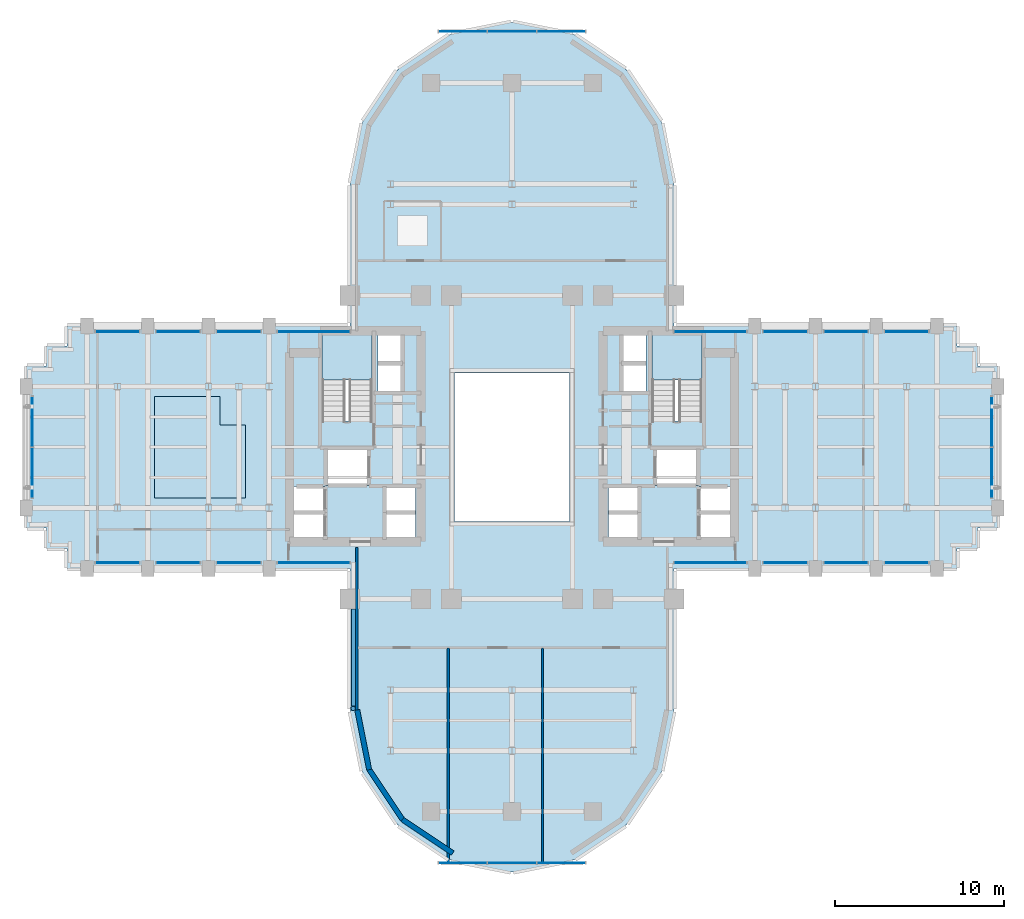
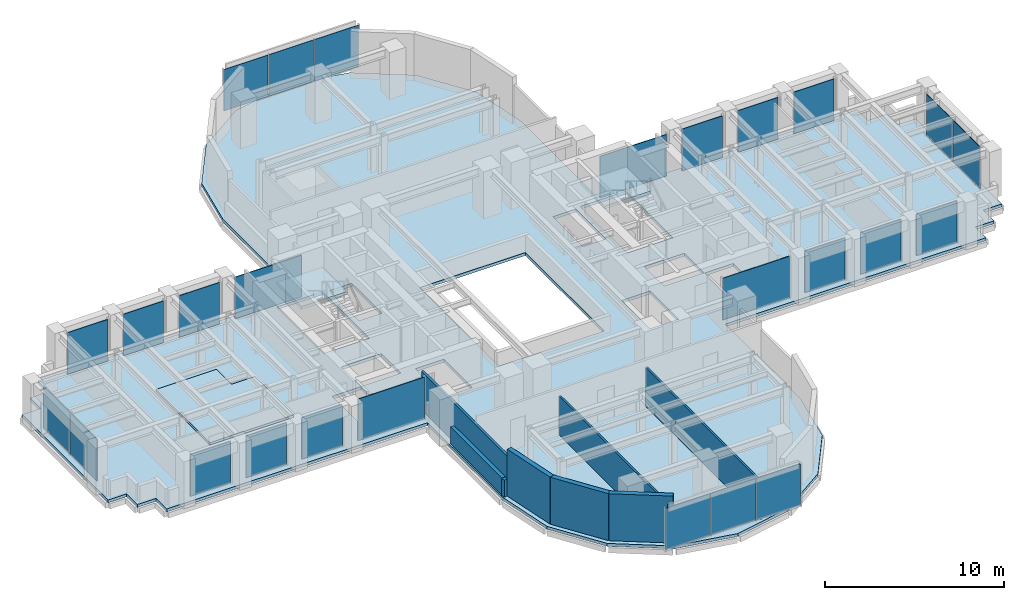
# One storey, part 9 of 16: 26 plates, 8 walls, 4 slabs, 22 elements without a shape of their own.
"""IFC4 building model written with IfcOpenShell, lengths in metres."""

from ifc_helpers import new_model, si_unit, direction, frame, frame_2d, origin, origin_2d, place, context, subcontext, project, spatial, polyline, rectangle, outline, extrude, source, transform, mapped, material, layer, layer_set, type_object, element, aggregate, save


model = new_model("IFC4")

# Units and contexts
model_context = context("Model", 3, precision=1e-05, world=origin(), true_north=direction((0.0, 1.0)))
body_context = subcontext(model_context, "Body", "Model", "MODEL_VIEW")
ifc_project = project(units=[si_unit("LENGTHUNIT", "METRE"), si_unit("AREAUNIT", "SQUARE_METRE"), si_unit("VOLUMEUNIT", "CUBIC_METRE"), si_unit("PLANEANGLEUNIT", "RADIAN"), si_unit("MASSUNIT", "GRAM", prefix="KILO")], contexts=[model_context])

# Site, building, storey
site_placement = place(None, origin())
site = spatial("IfcSite", under=ifc_project, at=site_placement, CompositionType="ELEMENT")
building_placement = place(site_placement, origin())
building = spatial("IfcBuilding", under=site, at=building_placement, Name="Keilestroom Media Tower", CompositionType="ELEMENT")
storey_placement = place(building_placement, frame((0.0, 0.0, 51.0)))
storey = spatial("IfcBuildingStorey", under=building, at=storey_placement, Name="L12", CompositionType="ELEMENT", Elevation=51.0)

# Slabs
ifc_material_1 = material(Name="Concrete C50/60", Category="concrete")
ifc_layer_1 = layer(ifc_material_1, 0.199951171875)
ifc_layer_set_1 = layer_set([ifc_layer_1], Name="Concrete C50/60")
slab_type_1 = type_object("IfcSlabType", Name="Composite-Floor-Slab-200", PredefinedType="FLOOR", material=ifc_layer_set_1)
slab_1_placement = place(storey_placement, frame((0.0, 0.0, -0.199951171875)))
element("IfcSlab", 1, at=slab_1_placement, inside=storey, type_object=slab_type_1, Name="L12 Structural Composite Floor Slab", PredefinedType="FLOOR", context=body_context, shape_type="SweptSolid", body=[
    extrude(outline(polyline([(28.800048828125, -4.800048828125), (28.800048828125, 4.800048828125), (27.60009765625, 4.800048828125), (27.60009765625, 6.0), (26.39990234375, 6.0), (26.39990234375, 7.199951171875), (9.60009765625, 7.199951171875), (9.60009765625, 9.60009765625), (9.60009765625, 15.60009765625), (8.869140625, 19.273681640625), (6.7880859375, 22.38818359375), (3.673828125, 24.46923828125), (0.0, 25.199951171875), (-3.673828125, 24.46923828125), (-6.7880859375, 22.38818359375), (-8.869140625, 19.273681640625), (-9.60009765625, 15.60009765625), (-9.60009765625, 9.60009765625), (-9.60009765625, 7.199951171875), (-26.39990234375, 7.199951171875), (-26.39990234375, 6.0), (-27.60009765625, 6.0), (-27.60009765625, 4.800048828125), (-28.800048828125, 4.800048828125), (-28.800048828125, -4.800048828125), (-27.60009765625, -4.800048828125), (-27.60009765625, -6.0), (-26.39990234375, -6.0), (-26.39990234375, -7.199951171875), (-9.60009765625, -7.199951171875), (-9.60009765625, -9.60009765625), (-9.60009765625, -15.60009765625), (-8.869140625, -19.273681640625), (-6.7880859375, -22.38818359375), (-3.673828125, -24.46923828125), (0.0, -25.199951171875), (3.673828125, -24.46923828125), (6.7880859375, -22.38818359375), (8.869140625, -19.273681640625), (9.60009765625, -15.60009765625), (9.60009765625, -9.60009765625), (9.60009765625, -7.199951171875), (26.39990234375, -7.199951171875), (26.39990234375, -6.0), (27.60009765625, -6.0), (27.60009765625, -4.800048828125), (28.800048828125, -4.800048828125)]), holes=[polyline([(-12.919921875, -5.47998046875), (-12.919921875, -2.320068359375), (-11.080078125, -2.320068359375), (-11.080078125, -5.47998046875), (-12.919921875, -5.47998046875)]), polyline([(-11.260009765625, 1.544921875), (-11.260009765625, 6.760009765625), (-8.300048828125, 6.760009765625), (-8.300048828125, 1.544921875), (-11.260009765625, 1.544921875)]), polyline([(-11.050048828125, -2.280029296875), (-11.050048828125, -0.10009765625), (-8.47998046875, -0.10009765625), (-8.47998046875, -2.280029296875), (-11.050048828125, -2.280029296875)]), polyline([(-7.949951171875, 3.300048828125), (-7.949951171875, 6.64990234375), (-6.47998046875, 6.64990234375), (-6.47998046875, 3.300048828125), (-7.949951171875, 3.300048828125)]), polyline([(-7.56005859375, -5.47998046875), (-7.56005859375, -2.320068359375), (-5.719970703125, -2.320068359375), (-5.719970703125, -5.47998046875), (-7.56005859375, -5.47998046875)]), polyline([(-3.39990234375, -4.39990234375), (-3.39990234375, 4.39990234375), (3.39990234375, 4.39990234375), (3.39990234375, -4.39990234375), (-3.39990234375, -4.39990234375)]), polyline([(5.719970703125, -5.47998046875), (5.719970703125, -2.320068359375), (7.56005859375, -2.320068359375), (7.56005859375, -5.47998046875), (5.719970703125, -5.47998046875)]), polyline([(7.949951171875, 6.64990234375), (7.949951171875, 3.300048828125), (6.47998046875, 3.300048828125), (6.47998046875, 6.64990234375), (7.949951171875, 6.64990234375)]), polyline([(8.300048828125, 6.760009765625), (11.260009765625, 6.760009765625), (11.260009765625, 1.544921875), (8.300048828125, 1.544921875), (8.300048828125, 6.760009765625)]), polyline([(8.47998046875, -2.280029296875), (8.47998046875, -0.10009765625), (11.050048828125, -0.10009765625), (11.050048828125, -2.280029296875), (8.47998046875, -2.280029296875)]), polyline([(12.919921875, -5.47998046875), (11.080078125, -5.47998046875), (11.080078125, -2.320068359375), (12.919921875, -2.320068359375), (12.919921875, -5.47998046875)])]), origin(), (0.0, 0.0, 1.0), 0.199951171875),
])
ifc_material_2 = material(Name="Concrete C45/55", Category="concrete")
ifc_layer_2 = layer(ifc_material_2, 0.14990234375)
ifc_layer_set_2 = layer_set([ifc_layer_2], Name="Concrete C45/55")
slab_type_2 = type_object("IfcSlabType", Name="Floating-Studio-Floor-Slab-150", PredefinedType="FLOOR", material=ifc_layer_set_2)
slab_2_placement = place(storey_placement, origin())
element("IfcSlab", 2, at=slab_2_placement, inside=storey, type_object=slab_type_2, Name="L12 Acoustic Floating Studio Slab ST-GFX-Z1", PredefinedType="FLOOR", context=body_context, shape_type="SweptSolid", body=[
    extrude(outline(polyline([(-21.199951171875, -3.0), (-15.800048828125, -3.0), (-15.800048828125, 1.320068359375), (-17.31201171875, 1.320068359375), (-17.31201171875, 3.0), (-21.199951171875, 3.0), (-21.199951171875, -3.0)])), origin(), (0.0, 0.0, 1.0), 0.14990234375),
])

# Stair, slab
stair_type = type_object("IfcStairType", Name="Enclosed-Dog-Leg-Stair-ST-CORE", PredefinedType="HALF_TURN_STAIR", material=ifc_material_2)
stair_1_placement = place(storey_placement, origin())
stair_1 = element("IfcStair", 3, at=stair_1_placement, inside=storey, type_object=stair_type, Name="L12 West Core Escape Stair ST-1", PredefinedType="HALF_TURN_STAIR")
ifc_layer_3 = layer(ifc_material_2, 0.199951171875)
ifc_layer_set_3 = layer_set([ifc_layer_3], Name="Concrete C45/55")
slab_type_3 = type_object("IfcSlabType", Name="Stair-Intermediate-And-Top-Landing-Slab-200", PredefinedType="LANDING", material=ifc_layer_set_3)
slab_3_placement = place(storey_placement, frame((0.0, 0.0, 1.5)))
slab_3 = element("IfcSlab", 4, at=slab_3_placement, type_object=slab_type_3, Name="ST-1 landing 1", PredefinedType="LANDING", context=body_context, shape_type="SweptSolid", body=[
    extrude(outline(polyline([(-8.300048828125, 3.99609375), (-8.300048828125, 6.760009765625), (-11.260009765625, 6.760009765625), (-11.260009765625, 3.99609375), (-8.300048828125, 3.99609375)])), origin(), (0.0, 0.0, 1.0), 0.199951171875),
])
aggregate(stair_1, [slab_3])

stair_2_placement = place(storey_placement, origin())
stair_2 = element("IfcStair", 5, at=stair_2_placement, inside=storey, type_object=stair_type, Name="L12 East Core Escape Stair ST-2", PredefinedType="HALF_TURN_STAIR")
slab_4_placement = place(storey_placement, frame((0.0, 0.0, 1.5)))
slab_4 = element("IfcSlab", 6, at=slab_4_placement, type_object=slab_type_3, Name="ST-2 landing 1", PredefinedType="LANDING", context=body_context, shape_type="SweptSolid", body=[
    extrude(outline(polyline([(11.260009765625, 3.99609375), (11.260009765625, 6.760009765625), (8.300048828125, 6.760009765625), (8.300048828125, 3.99609375), (11.260009765625, 3.99609375)])), origin(), (0.0, 0.0, 1.0), 0.199951171875),
])
aggregate(stair_2, [slab_4])

# Curtain wall, plates
ifc_material_3 = material(Name="Anodised Aluminium Alloy", Category="aluminium")
curtain_wall_type_1 = type_object("IfcCurtainWallType", Name="Unitised-Curtain-Wall-CW-1", PredefinedType="NOTDEFINED", material=ifc_material_3)
curtain_wall_1_placement = place(storey_placement, origin())
curtain_wall_1 = element("IfcCurtainWall", 7, at=curtain_wall_1_placement, inside=storey, type_object=curtain_wall_type_1, Name="L12 Curtain Wall CW-1 CW-L12-W-1", PredefinedType="NOTDEFINED")
ifc_material_4 = material(Name="Double Glazed Low-E Unit", Category="glass")
ifc_layer_4 = layer(ifc_material_4, 0.0439453125)
ifc_layer_set_4 = layer_set([ifc_layer_4], Name="Double Glazed Low-E Unit")
plate_type_1 = type_object("IfcPlateType", Name="Insulated-Curtain-Wall-Glazing-Panel-CW-1", PredefinedType="CURTAIN_PANEL", material=ifc_layer_set_4)
shared_shape_1 = source(origin(), body_context, "Body", "SweptSolid", [
    extrude(rectangle(XDim=2.968017578125, YDim=0.0439453125, at=origin_2d()), origin(), (0.0, 0.0, 1.0), 2.833984375),
])
plate_1_placement = place(storey_placement, frame((-28.449951171875, -1.514892578125, 0.072998046875), z_axis=(0.0, 0.0, 1.0), x_axis=(0.0, 1.0, 0.0)))
plate_1 = element("IfcPlate", 8, at=plate_1_placement, type_object=plate_type_1, Name="CW-1 Unitised Glazing 00", PredefinedType="CURTAIN_PANEL", context=body_context, shape_type="MappedRepresentation", body=[
    mapped(shared_shape_1, transform((0.0, 0.0, 0.0), x_axis=(1.0, 0.0, 0.0), y_axis=(0.0, 1.0, 0.0), z_axis=(0.0, 0.0, 1.0), scale=1.0)),
])
plate_2_placement = place(storey_placement, frame((-28.449951171875, 1.514892578125, 0.072998046875), z_axis=(0.0, 0.0, 1.0), x_axis=(0.0, 1.0, 0.0)))
plate_2 = element("IfcPlate", 9, at=plate_2_placement, type_object=plate_type_1, Name="CW-1 Unitised Glazing 01", PredefinedType="CURTAIN_PANEL", context=body_context, shape_type="MappedRepresentation", body=[
    mapped(shared_shape_1, transform((0.0, 0.0, 0.0), x_axis=(1.0, 0.0, 0.0), y_axis=(0.0, 1.0, 0.0), z_axis=(0.0, 0.0, 1.0), scale=1.0)),
])
aggregate(curtain_wall_1, [plate_1, plate_2])

curtain_wall_2_placement = place(storey_placement, origin())
curtain_wall_2 = element("IfcCurtainWall", 10, at=curtain_wall_2_placement, inside=storey, type_object=curtain_wall_type_1, Name="L12 Curtain Wall CW-1 CW-L12-E-1", PredefinedType="NOTDEFINED")
plate_3_placement = place(storey_placement, frame((28.449951171875, -1.514892578125, 0.072998046875), z_axis=(0.0, 0.0, 1.0), x_axis=(0.0, 1.0, 0.0)))
plate_3 = element("IfcPlate", 11, at=plate_3_placement, type_object=plate_type_1, Name="CW-1 Unitised Glazing 00", PredefinedType="CURTAIN_PANEL", context=body_context, shape_type="MappedRepresentation", body=[
    mapped(shared_shape_1, transform((0.0, 0.0, 0.0), x_axis=(1.0, 0.0, 0.0), y_axis=(0.0, 1.0, 0.0), z_axis=(0.0, 0.0, 1.0), scale=1.0)),
])
plate_4_placement = place(storey_placement, frame((28.449951171875, 1.514892578125, 0.072998046875), z_axis=(0.0, 0.0, 1.0), x_axis=(0.0, 1.0, 0.0)))
plate_4 = element("IfcPlate", 12, at=plate_4_placement, type_object=plate_type_1, Name="CW-1 Unitised Glazing 01", PredefinedType="CURTAIN_PANEL", context=body_context, shape_type="MappedRepresentation", body=[
    mapped(shared_shape_1, transform((0.0, 0.0, 0.0), x_axis=(1.0, 0.0, 0.0), y_axis=(0.0, 1.0, 0.0), z_axis=(0.0, 0.0, 1.0), scale=1.0)),
])
aggregate(curtain_wall_2, [plate_3, plate_4])

# Curtain wall, plate
curtain_wall_3_placement = place(storey_placement, origin())
curtain_wall_3 = element("IfcCurtainWall", 13, at=curtain_wall_3_placement, inside=storey, type_object=curtain_wall_type_1, Name="L12 Curtain Wall CW-1 CW-L12-NW-1", PredefinedType="NOTDEFINED")
shared_shape_2 = source(origin(), body_context, "Body", "SweptSolid", [
    extrude(rectangle(XDim=2.597900390625, YDim=0.0439453125, at=origin_2d()), origin(), (0.0, 0.0, 1.0), 2.833984375),
])
plate_5_placement = place(storey_placement, frame((-23.39990234375, 6.85009765625, 0.072998046875), z_axis=(0.0, 0.0, 1.0), x_axis=(1.0, 0.0, 0.0)))
plate_5 = element("IfcPlate", 14, at=plate_5_placement, type_object=plate_type_1, Name="CW-1 Unitised Glazing 00", PredefinedType="CURTAIN_PANEL", context=body_context, shape_type="MappedRepresentation", body=[
    mapped(shared_shape_2, transform((0.0, 0.0, 0.0), x_axis=(1.0, 0.0, 0.0), y_axis=(0.0, 1.0, 0.0), z_axis=(0.0, 0.0, 1.0), scale=1.0)),
])
aggregate(curtain_wall_3, [plate_5])

curtain_wall_4_placement = place(storey_placement, origin())
curtain_wall_4 = element("IfcCurtainWall", 15, at=curtain_wall_4_placement, inside=storey, type_object=curtain_wall_type_1, Name="L12 Curtain Wall CW-1 CW-L12-NW-2", PredefinedType="NOTDEFINED")
plate_6_placement = place(storey_placement, frame((-19.800048828125, 6.85009765625, 0.072998046875), z_axis=(0.0, 0.0, 1.0), x_axis=(1.0, 0.0, 0.0)))
plate_6 = element("IfcPlate", 16, at=plate_6_placement, type_object=plate_type_1, Name="CW-1 Unitised Glazing 00", PredefinedType="CURTAIN_PANEL", context=body_context, shape_type="MappedRepresentation", body=[
    mapped(shared_shape_2, transform((0.0, 0.0, 0.0), x_axis=(1.0, 0.0, 0.0), y_axis=(0.0, 1.0, 0.0), z_axis=(0.0, 0.0, 1.0), scale=1.0)),
])
aggregate(curtain_wall_4, [plate_6])

curtain_wall_5_placement = place(storey_placement, origin())
curtain_wall_5 = element("IfcCurtainWall", 17, at=curtain_wall_5_placement, inside=storey, type_object=curtain_wall_type_1, Name="L12 Curtain Wall CW-1 CW-L12-NW-3", PredefinedType="NOTDEFINED")
plate_7_placement = place(storey_placement, frame((-16.199951171875, 6.85009765625, 0.072998046875), z_axis=(0.0, 0.0, 1.0), x_axis=(1.0, 0.0, 0.0)))
plate_7 = element("IfcPlate", 18, at=plate_7_placement, type_object=plate_type_1, Name="CW-1 Unitised Glazing 00", PredefinedType="CURTAIN_PANEL", context=body_context, shape_type="MappedRepresentation", body=[
    mapped(shared_shape_2, transform((0.0, 0.0, 0.0), x_axis=(1.0, 0.0, 0.0), y_axis=(0.0, 1.0, 0.0), z_axis=(0.0, 0.0, 1.0), scale=1.0)),
])
aggregate(curtain_wall_5, [plate_7])

curtain_wall_6_placement = place(storey_placement, origin())
curtain_wall_6 = element("IfcCurtainWall", 19, at=curtain_wall_6_placement, inside=storey, type_object=curtain_wall_type_1, Name="L12 Curtain Wall CW-1 CW-L12-NE-2", PredefinedType="NOTDEFINED")
plate_8_placement = place(storey_placement, frame((16.199951171875, 6.85009765625, 0.072998046875), z_axis=(0.0, 0.0, 1.0), x_axis=(1.0, 0.0, 0.0)))
plate_8 = element("IfcPlate", 20, at=plate_8_placement, type_object=plate_type_1, Name="CW-1 Unitised Glazing 00", PredefinedType="CURTAIN_PANEL", context=body_context, shape_type="MappedRepresentation", body=[
    mapped(shared_shape_2, transform((0.0, 0.0, 0.0), x_axis=(1.0, 0.0, 0.0), y_axis=(0.0, 1.0, 0.0), z_axis=(0.0, 0.0, 1.0), scale=1.0)),
])
aggregate(curtain_wall_6, [plate_8])

curtain_wall_7_placement = place(storey_placement, origin())
curtain_wall_7 = element("IfcCurtainWall", 21, at=curtain_wall_7_placement, inside=storey, type_object=curtain_wall_type_1, Name="L12 Curtain Wall CW-1 CW-L12-NE-3", PredefinedType="NOTDEFINED")
plate_9_placement = place(storey_placement, frame((19.800048828125, 6.85009765625, 0.072998046875), z_axis=(0.0, 0.0, 1.0), x_axis=(1.0, 0.0, 0.0)))
plate_9 = element("IfcPlate", 22, at=plate_9_placement, type_object=plate_type_1, Name="CW-1 Unitised Glazing 00", PredefinedType="CURTAIN_PANEL", context=body_context, shape_type="MappedRepresentation", body=[
    mapped(shared_shape_2, transform((0.0, 0.0, 0.0), x_axis=(1.0, 0.0, 0.0), y_axis=(0.0, 1.0, 0.0), z_axis=(0.0, 0.0, 1.0), scale=1.0)),
])
aggregate(curtain_wall_7, [plate_9])

curtain_wall_8_placement = place(storey_placement, origin())
curtain_wall_8 = element("IfcCurtainWall", 23, at=curtain_wall_8_placement, inside=storey, type_object=curtain_wall_type_1, Name="L12 Curtain Wall CW-1 CW-L12-NE-4", PredefinedType="NOTDEFINED")
plate_10_placement = place(storey_placement, frame((23.39990234375, 6.85009765625, 0.072998046875), z_axis=(0.0, 0.0, 1.0), x_axis=(1.0, 0.0, 0.0)))
plate_10 = element("IfcPlate", 24, at=plate_10_placement, type_object=plate_type_1, Name="CW-1 Unitised Glazing 00", PredefinedType="CURTAIN_PANEL", context=body_context, shape_type="MappedRepresentation", body=[
    mapped(shared_shape_2, transform((0.0, 0.0, 0.0), x_axis=(1.0, 0.0, 0.0), y_axis=(0.0, 1.0, 0.0), z_axis=(0.0, 0.0, 1.0), scale=1.0)),
])
aggregate(curtain_wall_8, [plate_10])

curtain_wall_9_placement = place(storey_placement, origin())
curtain_wall_9 = element("IfcCurtainWall", 25, at=curtain_wall_9_placement, inside=storey, type_object=curtain_wall_type_1, Name="L12 Curtain Wall CW-1 CW-L12-SW-1", PredefinedType="NOTDEFINED")
plate_11_placement = place(storey_placement, frame((-23.39990234375, -6.85009765625, 0.072998046875), z_axis=(0.0, 0.0, 1.0), x_axis=(1.0, 0.0, 0.0)))
plate_11 = element("IfcPlate", 26, at=plate_11_placement, type_object=plate_type_1, Name="CW-1 Unitised Glazing 00", PredefinedType="CURTAIN_PANEL", context=body_context, shape_type="MappedRepresentation", body=[
    mapped(shared_shape_2, transform((0.0, 0.0, 0.0), x_axis=(1.0, 0.0, 0.0), y_axis=(0.0, 1.0, 0.0), z_axis=(0.0, 0.0, 1.0), scale=1.0)),
])
aggregate(curtain_wall_9, [plate_11])

curtain_wall_10_placement = place(storey_placement, origin())
curtain_wall_10 = element("IfcCurtainWall", 27, at=curtain_wall_10_placement, inside=storey, type_object=curtain_wall_type_1, Name="L12 Curtain Wall CW-1 CW-L12-SW-2", PredefinedType="NOTDEFINED")
plate_12_placement = place(storey_placement, frame((-19.800048828125, -6.85009765625, 0.072998046875), z_axis=(0.0, 0.0, 1.0), x_axis=(1.0, 0.0, 0.0)))
plate_12 = element("IfcPlate", 28, at=plate_12_placement, type_object=plate_type_1, Name="CW-1 Unitised Glazing 00", PredefinedType="CURTAIN_PANEL", context=body_context, shape_type="MappedRepresentation", body=[
    mapped(shared_shape_2, transform((0.0, 0.0, 0.0), x_axis=(1.0, 0.0, 0.0), y_axis=(0.0, 1.0, 0.0), z_axis=(0.0, 0.0, 1.0), scale=1.0)),
])
aggregate(curtain_wall_10, [plate_12])

curtain_wall_11_placement = place(storey_placement, origin())
curtain_wall_11 = element("IfcCurtainWall", 29, at=curtain_wall_11_placement, inside=storey, type_object=curtain_wall_type_1, Name="L12 Curtain Wall CW-1 CW-L12-SW-3", PredefinedType="NOTDEFINED")
plate_13_placement = place(storey_placement, frame((-16.199951171875, -6.85009765625, 0.072998046875), z_axis=(0.0, 0.0, 1.0), x_axis=(1.0, 0.0, 0.0)))
plate_13 = element("IfcPlate", 30, at=plate_13_placement, type_object=plate_type_1, Name="CW-1 Unitised Glazing 00", PredefinedType="CURTAIN_PANEL", context=body_context, shape_type="MappedRepresentation", body=[
    mapped(shared_shape_2, transform((0.0, 0.0, 0.0), x_axis=(1.0, 0.0, 0.0), y_axis=(0.0, 1.0, 0.0), z_axis=(0.0, 0.0, 1.0), scale=1.0)),
])
aggregate(curtain_wall_11, [plate_13])

curtain_wall_12_placement = place(storey_placement, origin())
curtain_wall_12 = element("IfcCurtainWall", 31, at=curtain_wall_12_placement, inside=storey, type_object=curtain_wall_type_1, Name="L12 Curtain Wall CW-1 CW-L12-SE-2", PredefinedType="NOTDEFINED")
plate_14_placement = place(storey_placement, frame((16.199951171875, -6.85009765625, 0.072998046875), z_axis=(0.0, 0.0, 1.0), x_axis=(1.0, 0.0, 0.0)))
plate_14 = element("IfcPlate", 32, at=plate_14_placement, type_object=plate_type_1, Name="CW-1 Unitised Glazing 00", PredefinedType="CURTAIN_PANEL", context=body_context, shape_type="MappedRepresentation", body=[
    mapped(shared_shape_2, transform((0.0, 0.0, 0.0), x_axis=(1.0, 0.0, 0.0), y_axis=(0.0, 1.0, 0.0), z_axis=(0.0, 0.0, 1.0), scale=1.0)),
])
aggregate(curtain_wall_12, [plate_14])

curtain_wall_13_placement = place(storey_placement, origin())
curtain_wall_13 = element("IfcCurtainWall", 33, at=curtain_wall_13_placement, inside=storey, type_object=curtain_wall_type_1, Name="L12 Curtain Wall CW-1 CW-L12-SE-3", PredefinedType="NOTDEFINED")
plate_15_placement = place(storey_placement, frame((19.800048828125, -6.85009765625, 0.072998046875), z_axis=(0.0, 0.0, 1.0), x_axis=(1.0, 0.0, 0.0)))
plate_15 = element("IfcPlate", 34, at=plate_15_placement, type_object=plate_type_1, Name="CW-1 Unitised Glazing 00", PredefinedType="CURTAIN_PANEL", context=body_context, shape_type="MappedRepresentation", body=[
    mapped(shared_shape_2, transform((0.0, 0.0, 0.0), x_axis=(1.0, 0.0, 0.0), y_axis=(0.0, 1.0, 0.0), z_axis=(0.0, 0.0, 1.0), scale=1.0)),
])
aggregate(curtain_wall_13, [plate_15])

curtain_wall_14_placement = place(storey_placement, origin())
curtain_wall_14 = element("IfcCurtainWall", 35, at=curtain_wall_14_placement, inside=storey, type_object=curtain_wall_type_1, Name="L12 Curtain Wall CW-1 CW-L12-SE-4", PredefinedType="NOTDEFINED")
plate_16_placement = place(storey_placement, frame((23.39990234375, -6.85009765625, 0.072998046875), z_axis=(0.0, 0.0, 1.0), x_axis=(1.0, 0.0, 0.0)))
plate_16 = element("IfcPlate", 36, at=plate_16_placement, type_object=plate_type_1, Name="CW-1 Unitised Glazing 00", PredefinedType="CURTAIN_PANEL", context=body_context, shape_type="MappedRepresentation", body=[
    mapped(shared_shape_2, transform((0.0, 0.0, 0.0), x_axis=(1.0, 0.0, 0.0), y_axis=(0.0, 1.0, 0.0), z_axis=(0.0, 0.0, 1.0), scale=1.0)),
])
aggregate(curtain_wall_14, [plate_16])

curtain_wall_15_placement = place(storey_placement, origin())
curtain_wall_15 = element("IfcCurtainWall", 37, at=curtain_wall_15_placement, inside=storey, type_object=curtain_wall_type_1, Name="L12 Curtain Wall CW-1 CW-L12-NW-4", PredefinedType="NOTDEFINED")
shared_shape_3 = source(origin(), body_context, "Body", "SweptSolid", [
    extrude(rectangle(XDim=4.282958984375, YDim=0.0439453125, at=origin_2d()), origin(), (0.0, 0.0, 1.0), 2.833984375),
])
plate_17_placement = place(storey_placement, frame((-11.757568359375, 6.85009765625, 0.072998046875), z_axis=(0.0, 0.0, 1.0), x_axis=(1.0, 0.0, 0.0)))
plate_17 = element("IfcPlate", 38, at=plate_17_placement, type_object=plate_type_1, Name="CW-1 Unitised Glazing 00", PredefinedType="CURTAIN_PANEL", context=body_context, shape_type="MappedRepresentation", body=[
    mapped(shared_shape_3, transform((0.0, 0.0, 0.0), x_axis=(1.0, 0.0, 0.0), y_axis=(0.0, 1.0, 0.0), z_axis=(0.0, 0.0, 1.0), scale=1.0)),
])
aggregate(curtain_wall_15, [plate_17])

curtain_wall_16_placement = place(storey_placement, origin())
curtain_wall_16 = element("IfcCurtainWall", 39, at=curtain_wall_16_placement, inside=storey, type_object=curtain_wall_type_1, Name="L12 Curtain Wall CW-1 CW-L12-NE-1", PredefinedType="NOTDEFINED")
plate_18_placement = place(storey_placement, frame((11.757568359375, 6.85009765625, 0.072998046875), z_axis=(0.0, 0.0, 1.0), x_axis=(1.0, 0.0, 0.0)))
plate_18 = element("IfcPlate", 40, at=plate_18_placement, type_object=plate_type_1, Name="CW-1 Unitised Glazing 00", PredefinedType="CURTAIN_PANEL", context=body_context, shape_type="MappedRepresentation", body=[
    mapped(shared_shape_3, transform((0.0, 0.0, 0.0), x_axis=(1.0, 0.0, 0.0), y_axis=(0.0, 1.0, 0.0), z_axis=(0.0, 0.0, 1.0), scale=1.0)),
])
aggregate(curtain_wall_16, [plate_18])

curtain_wall_17_placement = place(storey_placement, origin())
curtain_wall_17 = element("IfcCurtainWall", 41, at=curtain_wall_17_placement, inside=storey, type_object=curtain_wall_type_1, Name="L12 Curtain Wall CW-1 CW-L12-SW-4", PredefinedType="NOTDEFINED")
plate_19_placement = place(storey_placement, frame((-11.757568359375, -6.85009765625, 0.072998046875), z_axis=(0.0, 0.0, 1.0), x_axis=(1.0, 0.0, 0.0)))
plate_19 = element("IfcPlate", 42, at=plate_19_placement, type_object=plate_type_1, Name="CW-1 Unitised Glazing 00", PredefinedType="CURTAIN_PANEL", context=body_context, shape_type="MappedRepresentation", body=[
    mapped(shared_shape_3, transform((0.0, 0.0, 0.0), x_axis=(1.0, 0.0, 0.0), y_axis=(0.0, 1.0, 0.0), z_axis=(0.0, 0.0, 1.0), scale=1.0)),
])
aggregate(curtain_wall_17, [plate_19])

curtain_wall_18_placement = place(storey_placement, origin())
curtain_wall_18 = element("IfcCurtainWall", 43, at=curtain_wall_18_placement, inside=storey, type_object=curtain_wall_type_1, Name="L12 Curtain Wall CW-1 CW-L12-SE-1", PredefinedType="NOTDEFINED")
plate_20_placement = place(storey_placement, frame((11.757568359375, -6.85009765625, 0.072998046875), z_axis=(0.0, 0.0, 1.0), x_axis=(1.0, 0.0, 0.0)))
plate_20 = element("IfcPlate", 44, at=plate_20_placement, type_object=plate_type_1, Name="CW-1 Unitised Glazing 00", PredefinedType="CURTAIN_PANEL", context=body_context, shape_type="MappedRepresentation", body=[
    mapped(shared_shape_3, transform((0.0, 0.0, 0.0), x_axis=(1.0, 0.0, 0.0), y_axis=(0.0, 1.0, 0.0), z_axis=(0.0, 0.0, 1.0), scale=1.0)),
])
aggregate(curtain_wall_18, [plate_20])

# Curtain wall, plates
curtain_wall_type_2 = type_object("IfcCurtainWallType", Name="Unitised-Curtain-Wall-CW-6", PredefinedType="NOTDEFINED", material=ifc_material_3)
curtain_wall_19_placement = place(storey_placement, origin())
curtain_wall_19 = element("IfcCurtainWall", 45, at=curtain_wall_19_placement, inside=storey, type_object=curtain_wall_type_2, Name="L12 Curtain Wall CW-6 CW-L12-LN-1", PredefinedType="NOTDEFINED")
ifc_material_5 = material(Name="Curved-Facet Triple Glazed Unit", Category="glass")
ifc_layer_5 = layer(ifc_material_5, 0.033935546875)
ifc_layer_set_5 = layer_set([ifc_layer_5], Name="Curved-Facet Triple Glazed Unit")
plate_type_2 = type_object("IfcPlateType", Name="Insulated-Curtain-Wall-Glazing-Panel-CW-6", PredefinedType="CURTAIN_PANEL", material=ifc_layer_set_5)
shared_shape_4 = source(origin(), body_context, "Body", "SweptSolid", [
    extrude(rectangle(XDim=2.84375, YDim=0.033935546875, at=origin_2d()), origin(), (0.0, 0.0, 1.0), 2.833984375),
])
plate_21_placement = place(storey_placement, frame((-2.9169921875, 24.64990234375, 0.072998046875), z_axis=(0.0, 0.0, 1.0), x_axis=(1.0, 0.0, 0.0)))
plate_21 = element("IfcPlate", 46, at=plate_21_placement, type_object=plate_type_2, Name="CW-6 Unitised Glazing 00", PredefinedType="CURTAIN_PANEL", context=body_context, shape_type="MappedRepresentation", body=[
    mapped(shared_shape_4, transform((0.0, 0.0, 0.0), x_axis=(1.0, 0.0, 0.0), y_axis=(0.0, 1.0, 0.0), z_axis=(0.0, 0.0, 1.0), scale=1.0)),
])
plate_22_placement = place(storey_placement, frame((2.9169921875, 24.64990234375, 0.072998046875), z_axis=(0.0, 0.0, 1.0), x_axis=(1.0, 0.0, 0.0)))
plate_22 = element("IfcPlate", 47, at=plate_22_placement, type_object=plate_type_2, Name="CW-6 Unitised Glazing 02", PredefinedType="CURTAIN_PANEL", context=body_context, shape_type="MappedRepresentation", body=[
    mapped(shared_shape_4, transform((0.0, 0.0, 0.0), x_axis=(1.0, 0.0, 0.0), y_axis=(0.0, 1.0, 0.0), z_axis=(0.0, 0.0, 1.0), scale=1.0)),
])

curtain_wall_20_placement = place(storey_placement, origin())
curtain_wall_20 = element("IfcCurtainWall", 48, at=curtain_wall_20_placement, inside=storey, type_object=curtain_wall_type_2, Name="L12 Curtain Wall CW-6 CW-L12-LS-1", PredefinedType="NOTDEFINED")
plate_23_placement = place(storey_placement, frame((-2.9169921875, -24.64990234375, 0.072998046875), z_axis=(0.0, 0.0, 1.0), x_axis=(1.0, 0.0, 0.0)))
plate_23 = element("IfcPlate", 49, at=plate_23_placement, type_object=plate_type_2, Name="CW-6 Unitised Glazing 00", PredefinedType="CURTAIN_PANEL", context=body_context, shape_type="MappedRepresentation", body=[
    mapped(shared_shape_4, transform((0.0, 0.0, 0.0), x_axis=(1.0, 0.0, 0.0), y_axis=(0.0, 1.0, 0.0), z_axis=(0.0, 0.0, 1.0), scale=1.0)),
])
plate_24_placement = place(storey_placement, frame((2.9169921875, -24.64990234375, 0.072998046875), z_axis=(0.0, 0.0, 1.0), x_axis=(1.0, 0.0, 0.0)))
plate_24 = element("IfcPlate", 50, at=plate_24_placement, type_object=plate_type_2, Name="CW-6 Unitised Glazing 02", PredefinedType="CURTAIN_PANEL", context=body_context, shape_type="MappedRepresentation", body=[
    mapped(shared_shape_4, transform((0.0, 0.0, 0.0), x_axis=(1.0, 0.0, 0.0), y_axis=(0.0, 1.0, 0.0), z_axis=(0.0, 0.0, 1.0), scale=1.0)),
])

# Plate
shared_shape_5 = source(origin(), body_context, "Body", "SweptSolid", [
    extrude(rectangle(XDim=2.876220703125, YDim=0.033935546875, at=origin_2d()), origin(), (0.0, 0.0, 1.0), 2.833984375),
])
plate_25_placement = place(storey_placement, frame((0.0, 24.64990234375, 0.072998046875), z_axis=(0.0, 0.0, 1.0), x_axis=(1.0, 0.0, 0.0)))
plate_25 = element("IfcPlate", 51, at=plate_25_placement, type_object=plate_type_2, Name="CW-6 Unitised Glazing 01", PredefinedType="CURTAIN_PANEL", context=body_context, shape_type="MappedRepresentation", body=[
    mapped(shared_shape_5, transform((0.0, 0.0, 0.0), x_axis=(1.0, 0.0, 0.0), y_axis=(0.0, 1.0, 0.0), z_axis=(0.0, 0.0, 1.0), scale=1.0)),
])

aggregate(curtain_wall_19, [plate_21, plate_25, plate_22])

plate_26_placement = place(storey_placement, frame((0.0, -24.64990234375, 0.072998046875), z_axis=(0.0, 0.0, 1.0), x_axis=(1.0, 0.0, 0.0)))
plate_26 = element("IfcPlate", 52, at=plate_26_placement, type_object=plate_type_2, Name="CW-6 Unitised Glazing 01", PredefinedType="CURTAIN_PANEL", context=body_context, shape_type="MappedRepresentation", body=[
    mapped(shared_shape_5, transform((0.0, 0.0, 0.0), x_axis=(1.0, 0.0, 0.0), y_axis=(0.0, 1.0, 0.0), z_axis=(0.0, 0.0, 1.0), scale=1.0)),
])

aggregate(curtain_wall_20, [plate_23, plate_26, plate_24])

# Walls
ifc_material_6 = material(Name="Precast concrete C40/50", Category="concrete")
ifc_layer_6 = layer(ifc_material_6, 0.300048828125)
ifc_layer_set_6 = layer_set([ifc_layer_6], Name="Precast concrete C40/50")
wall_type_1 = type_object("IfcWallType", Name="Exterior-Masonry-Spandrel-Wall-300", PredefinedType="SOLIDWALL", material=ifc_layer_set_6)
for number, where, z_axis, x_axis, name in (
    (53, (-9.1748046875, -15.585205078125, 0.0), (0.0, 0.0, 1.0), (0.195114232679, -0.980780523974, 0.0), "L12 Lobe Facet Precast Frame Wall 07"),
    (54, (-8.48193359375, -19.097412109375, 0.0), (0.0, 0.0, 1.0), (0.555574187116, -0.831466970246, 0.0), "L12 Lobe Facet Precast Frame Wall 08"),
):
    element("IfcWall", number, at=place(storey_placement, frame(where, z_axis=z_axis, x_axis=x_axis)), inside=storey, type_object=wall_type_1, Name=name, PredefinedType="SOLIDWALL", context=body_context, shape_type="SweptSolid", body=[
        extrude(rectangle(XDim=3.608642578125, YDim=0.300048828125, at=frame_2d((1.80419921875, 0.0))), origin(), (0.0, 0.0, 1.0), 3.199951171875),
    ])
wall_1_placement = place(storey_placement, frame((-6.497802734375, -22.0771484375, 0.0), z_axis=(0.0, 0.0, 1.0), x_axis=(0.8314749531, -0.555562239868, 0.0)))
element("IfcWall", 55, at=wall_1_placement, inside=storey, type_object=wall_type_1, Name="L12 Lobe Facet Precast Frame Wall 09", PredefinedType="SOLIDWALL", context=body_context, shape_type="SweptSolid", body=[
    extrude(rectangle(XDim=3.59326171875, YDim=0.300048828125, at=frame_2d((1.796630859375, 0.0))), origin(), (0.0, 0.0, 1.0), 3.199951171875),
])
ifc_material_7 = material(Name="Gypsum Plasterboard & Steel Stud", Category="steel")
ifc_layer_7 = layer(ifc_material_7, 0.1201171875)
ifc_layer_set_7 = layer_set([ifc_layer_7], Name="Gypsum Plasterboard & Steel Stud")
wall_type_2 = type_object("IfcWallType", Name="Interior-Partition-Wall-120", PredefinedType="PARTITIONING", material=ifc_layer_set_7)
for number, where, z_axis, x_axis, name in (
    (56, (-3.780029296875, -24.64990234375, 0.0), (0.0, 0.0, 1.0), (0.0, 1.0, 0.0), "L12 Interior Wall WP-L12-SL-V1"),
    (57, (1.800048828125, -24.64990234375, 0.0), (0.0, 0.0, 1.0), (0.0, 1.0, 0.0), "L12 Interior Wall WP-L12-SL-V2"),
):
    element("IfcWall", number, at=place(storey_placement, frame(where, z_axis=z_axis, x_axis=x_axis)), inside=storey, type_object=wall_type_2, Name=name, PredefinedType="PARTITIONING", context=body_context, shape_type="SweptSolid", body=[
        extrude(rectangle(XDim=12.75, YDim=0.1201171875, at=frame_2d((6.375, 0.0))), origin(), (0.0, 0.0, 1.0), 2.64990234375),
    ])
ifc_layer_8 = layer(ifc_material_7, 0.14990234375)
ifc_layer_set_8 = layer_set([ifc_layer_8], Name="Gypsum Plasterboard & Steel Stud")
wall_type_3 = type_object("IfcWallType", Name="Interior-Partition-Wall-150", PredefinedType="PARTITIONING", material=ifc_layer_set_8)
wall_2_placement = place(storey_placement, frame((-9.199951171875, -15.679931640625, 0.0), z_axis=(0.0, 0.0, 1.0), x_axis=(0.0, 1.0, 0.0)))
element("IfcWall", 58, at=wall_2_placement, inside=storey, type_object=wall_type_3, Name="L12 Interior Wall WP-L12-SL-CHKW", PredefinedType="PARTITIONING", context=body_context, shape_type="SweptSolid", body=[
    extrude(rectangle(XDim=9.739990234375, YDim=0.14990234375, at=frame_2d((4.8701171875, 0.0))), origin(), (0.0, 0.0, 1.0), 2.64990234375),
])
ifc_layer_9 = layer(ifc_material_6, 0.239990234375)
ifc_layer_set_9 = layer_set([ifc_layer_9], Name="Precast concrete C40/50")
wall_type_4 = type_object("IfcWallType", Name="Roof-And-Terrace-Parapet-Wall-240", PredefinedType="PARAPET", material=ifc_layer_set_9)
wall_3_placement = place(storey_placement, frame((-9.395263671875, -15.604248046875, 0.0), z_axis=(0.0, 0.0, 1.0), x_axis=(-0.194652052864, 0.980872355771, 0.0)))
element("IfcWall", 59, at=wall_3_placement, inside=storey, type_object=wall_type_4, Name="L12 Perimeter Edge Parapet Wall 09", PredefinedType="PARAPET", context=body_context, shape_type="SweptSolid", body=[
    extrude(rectangle(XDim=0.224609375, YDim=0.239990234375, at=frame_2d((0.1123046875, 0.0))), origin(), (0.0, 0.0, 1.0), 1.14990234375),
])
wall_4_placement = place(storey_placement, frame((-9.39990234375, -15.357666015625, 0.0), z_axis=(0.0, 0.0, 1.0), x_axis=(0.0, 1.0, 0.0)))
element("IfcWall", 60, at=wall_4_placement, inside=storey, type_object=wall_type_4, Name="L12 Perimeter Edge Parapet Wall 10", PredefinedType="PARAPET", context=body_context, shape_type="SweptSolid", body=[
    extrude(rectangle(XDim=5.754638671875, YDim=0.239990234375, at=frame_2d((2.87744140625, 0.0))), origin(), (0.0, 0.0, 1.0), 1.14990234375),
])

save(model, "model.ifc")
